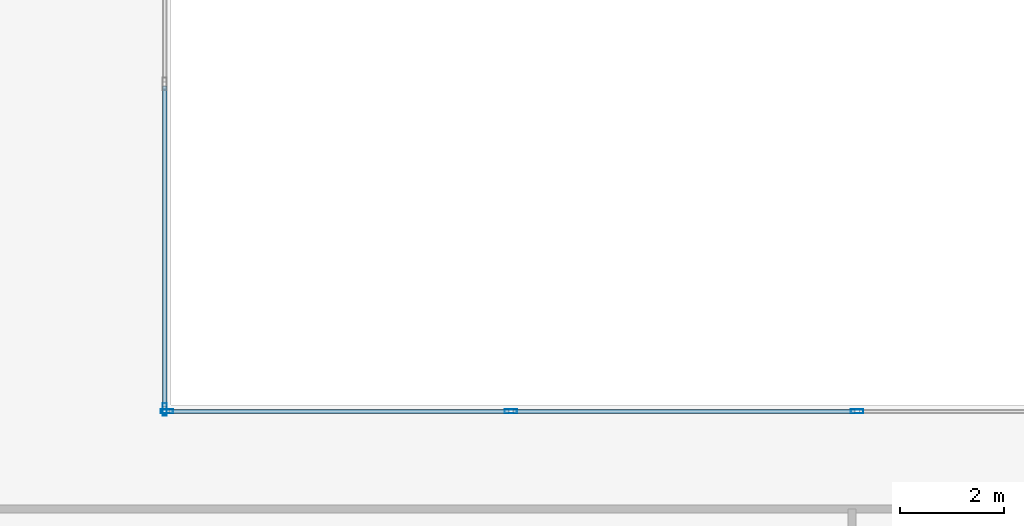
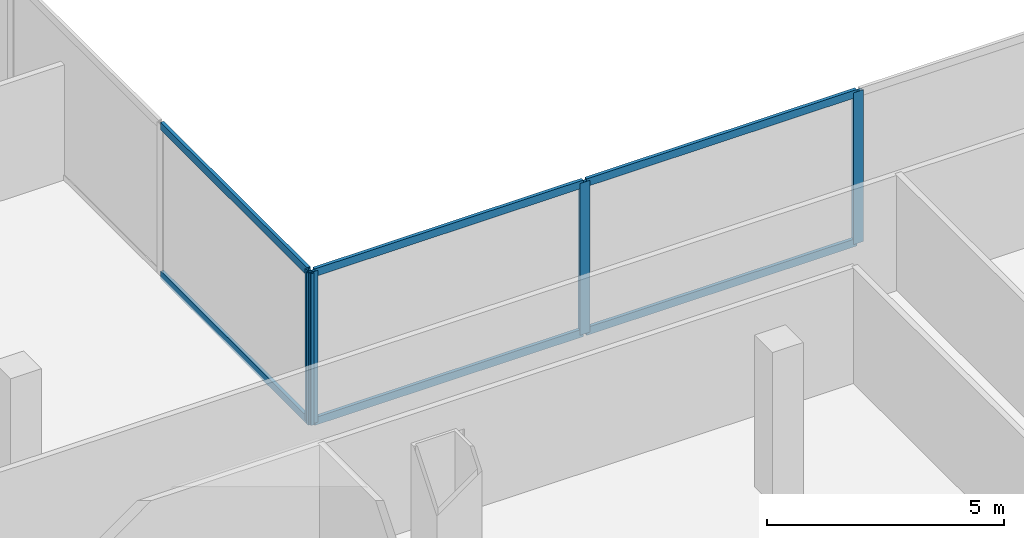
# One storey, part 9 of 28: 10 members, 2 elements without a shape of their own.
"""IFC4 building model written with IfcOpenShell, lengths in metres."""

from ifc_helpers import new_model, si_unit, direction, frame, origin, origin_2d, place, context, subcontext, project, spatial, hollow_rectangle, extrude, material, material_profile, profile_set, type_object, element, aggregate, save


model = new_model("IFC4")

# Units and contexts
model_context = context("Model", 3, precision=1e-05, world=origin(), true_north=direction((0.0, 1.0)))
body_context = subcontext(model_context, "Body", "Model", "MODEL_VIEW")
ifc_project = project(units=[si_unit("LENGTHUNIT", "METRE"), si_unit("AREAUNIT", "SQUARE_METRE"), si_unit("VOLUMEUNIT", "CUBIC_METRE"), si_unit("PLANEANGLEUNIT", "RADIAN"), si_unit("MASSUNIT", "GRAM", prefix="KILO")], contexts=[model_context])

# Site, building, storey
site_placement = place(None, origin())
site = spatial("IfcSite", under=ifc_project, at=site_placement, CompositionType="ELEMENT")
building_placement = place(site_placement, origin())
building = spatial("IfcBuilding", under=site, at=building_placement, Name="Cobrela Telecom Tower", CompositionType="ELEMENT")
storey_placement = place(building_placement, frame((0.0, 0.0, 17.85009765625)))
storey = spatial("IfcBuildingStorey", under=building, at=storey_placement, Name="L04", CompositionType="ELEMENT", Elevation=17.85009765625)

# Curtain wall, member
ifc_material = material(Name="Anodized Bronze Aluminium 6063-T6", Category="aluminium")
curtain_wall_type = type_object("IfcCurtainWallType", Name="CW-SYS-CONC", PredefinedType="USERDEFINED", material=ifc_material)
curtain_wall_1_placement = place(storey_placement, origin())
curtain_wall_1 = element("IfcCurtainWall", 1, at=curtain_wall_1_placement, inside=storey, type_object=curtain_wall_type, Name="L04 Unitised Bronze Curtain Wall 10", ObjectType="UNITISED CURTAIN WALL", PredefinedType="USERDEFINED")
ifc_material_profile_1 = material_profile(ifc_material, hollow_rectangle(XDim=0.080078125, YDim=0.239990234375, WallThickness=0.0048828125, at=origin_2d()), Name="ALU 80x240x5")
ifc_profile_set_1 = profile_set([ifc_material_profile_1], Name="Anodized Bronze Aluminium 6063-T6")
member_type_1 = type_object("IfcMemberType", Name="CW-SYS-CONC-MUL", PredefinedType="MULLION", material=ifc_profile_set_1)
member_1_placement = place(storey_placement, frame((50.280029296875, 28.719970703125, 0.0), z_axis=(0.0, 0.0, 1.0), x_axis=(1.0, 0.0, 0.0)))
member_1 = element("IfcMember", 2, at=member_1_placement, type_object=member_type_1, Name="CW-CONC mullion 4", PredefinedType="MULLION", context=body_context, shape_type="SweptSolid", body=[
    extrude(hollow_rectangle(XDim=0.080078125, YDim=0.239990234375, WallThickness=0.0048828125, at=origin_2d()), origin(), (0.0, 0.0, 1.0), 3.909912109375),
])

# Curtain wall, members
curtain_wall_2_placement = place(storey_placement, origin())
curtain_wall_2 = element("IfcCurtainWall", 3, at=curtain_wall_2_placement, inside=storey, type_object=curtain_wall_type, Name="L04 Unitised Bronze Curtain Wall 11", ObjectType="UNITISED CURTAIN WALL", PredefinedType="USERDEFINED")
member_2_placement = place(storey_placement, frame((50.320068359375, 28.679931640625, 0.0), z_axis=(0.0, 0.0, 1.0), x_axis=(0.0, 1.0, 0.0)))
member_2 = element("IfcMember", 4, at=member_2_placement, type_object=member_type_1, Name="CW-CONC mullion 1", PredefinedType="MULLION", context=body_context, shape_type="SweptSolid", body=[
    extrude(hollow_rectangle(XDim=0.080078125, YDim=0.239990234375, WallThickness=0.0048828125, at=origin_2d()), origin(), (0.0, 0.0, 1.0), 3.909912109375),
])
member_3_placement = place(storey_placement, frame((56.93994140625, 28.679931640625, 0.0), z_axis=(0.0, 0.0, 1.0), x_axis=(0.0, 1.0, 0.0)))
member_3 = element("IfcMember", 5, at=member_3_placement, type_object=member_type_1, Name="CW-CONC mullion 2", PredefinedType="MULLION", context=body_context, shape_type="SweptSolid", body=[
    extrude(hollow_rectangle(XDim=0.080078125, YDim=0.239990234375, WallThickness=0.0048828125, at=origin_2d()), origin(), (0.0, 0.0, 1.0), 3.909912109375),
])
member_4_placement = place(storey_placement, frame((63.60009765625, 28.679931640625, 0.0), z_axis=(0.0, 0.0, 1.0), x_axis=(0.0, 1.0, 0.0)))
member_4 = element("IfcMember", 6, at=member_4_placement, type_object=member_type_1, Name="CW-CONC mullion 3", PredefinedType="MULLION", context=body_context, shape_type="SweptSolid", body=[
    extrude(hollow_rectangle(XDim=0.080078125, YDim=0.239990234375, WallThickness=0.0048828125, at=origin_2d()), origin(), (0.0, 0.0, 1.0), 3.909912109375),
])

# Member
ifc_material_profile_2 = material_profile(ifc_material, hollow_rectangle(XDim=0.080078125, YDim=0.199951171875, WallThickness=0.00390625, at=origin_2d()), Name="ALU 80x200x4")
ifc_profile_set_2 = profile_set([ifc_material_profile_2], Name="Anodized Bronze Aluminium 6063-T6")
member_type_2 = type_object("IfcMemberType", Name="CW-SYS-CONC-TRN", PredefinedType="USERDEFINED", material=ifc_profile_set_2)
member_5_placement = place(storey_placement, frame((50.280029296875, 34.93994140625, 0.039794921875), z_axis=(0.0, -1.0, 0.0), x_axis=(1.0, 0.0, 0.0)))
member_5 = element("IfcMember", 7, at=member_5_placement, type_object=member_type_2, Name="CW-CONC transom 3.1", ObjectType="TRANSOM", PredefinedType="USERDEFINED", context=body_context, shape_type="SweptSolid", body=[
    extrude(hollow_rectangle(XDim=0.080078125, YDim=0.199951171875, WallThickness=0.00390625, at=origin_2d()), origin(), (0.0, 0.0, 1.0), 6.179931640625),
])

member_6_placement = place(storey_placement, frame((50.280029296875, 34.93994140625, 3.869873046875), z_axis=(0.0, -1.0, 0.0), x_axis=(1.0, 0.0, 0.0)))
member_6 = element("IfcMember", 8, at=member_6_placement, type_object=member_type_2, Name="CW-CONC transom 3.2", ObjectType="TRANSOM", PredefinedType="USERDEFINED", context=body_context, shape_type="SweptSolid", body=[
    extrude(hollow_rectangle(XDim=0.080078125, YDim=0.199951171875, WallThickness=0.00390625, at=origin_2d()), origin(), (0.0, 0.0, 1.0), 6.179931640625),
])

aggregate(curtain_wall_1, [member_1, member_5, member_6])

member_7_placement = place(storey_placement, frame((50.360107421875, 28.679931640625, 0.039794921875), z_axis=(1.0, 0.0, 0.0), x_axis=(0.0, 1.0, 0.0)))
member_7 = element("IfcMember", 9, at=member_7_placement, type_object=member_type_2, Name="CW-CONC transom 1.1", ObjectType="TRANSOM", PredefinedType="USERDEFINED", context=body_context, shape_type="SweptSolid", body=[
    extrude(hollow_rectangle(XDim=0.080078125, YDim=0.199951171875, WallThickness=0.00390625, at=origin_2d()), origin(), (0.0, 0.0, 1.0), 6.539794921875),
])

member_8_placement = place(storey_placement, frame((50.360107421875, 28.679931640625, 3.869873046875), z_axis=(1.0, 0.0, 0.0), x_axis=(0.0, 1.0, 0.0)))
member_8 = element("IfcMember", 10, at=member_8_placement, type_object=member_type_2, Name="CW-CONC transom 1.2", ObjectType="TRANSOM", PredefinedType="USERDEFINED", context=body_context, shape_type="SweptSolid", body=[
    extrude(hollow_rectangle(XDim=0.080078125, YDim=0.199951171875, WallThickness=0.00390625, at=origin_2d()), origin(), (0.0, 0.0, 1.0), 6.539794921875),
])

member_9_placement = place(storey_placement, frame((56.97998046875, 28.679931640625, 0.039794921875), z_axis=(1.0, 0.0, 0.0), x_axis=(0.0, 1.0, 0.0)))
member_9 = element("IfcMember", 11, at=member_9_placement, type_object=member_type_2, Name="CW-CONC transom 2.1", ObjectType="TRANSOM", PredefinedType="USERDEFINED", context=body_context, shape_type="SweptSolid", body=[
    extrude(hollow_rectangle(XDim=0.080078125, YDim=0.199951171875, WallThickness=0.00390625, at=origin_2d()), origin(), (0.0, 0.0, 1.0), 6.580078125),
])

member_10_placement = place(storey_placement, frame((56.97998046875, 28.679931640625, 3.869873046875), z_axis=(1.0, 0.0, 0.0), x_axis=(0.0, 1.0, 0.0)))
member_10 = element("IfcMember", 12, at=member_10_placement, type_object=member_type_2, Name="CW-CONC transom 2.2", ObjectType="TRANSOM", PredefinedType="USERDEFINED", context=body_context, shape_type="SweptSolid", body=[
    extrude(hollow_rectangle(XDim=0.080078125, YDim=0.199951171875, WallThickness=0.00390625, at=origin_2d()), origin(), (0.0, 0.0, 1.0), 6.580078125),
])

aggregate(curtain_wall_2, [member_2, member_3, member_4, member_7, member_8, member_9, member_10])

save(model, "model.ifc")
